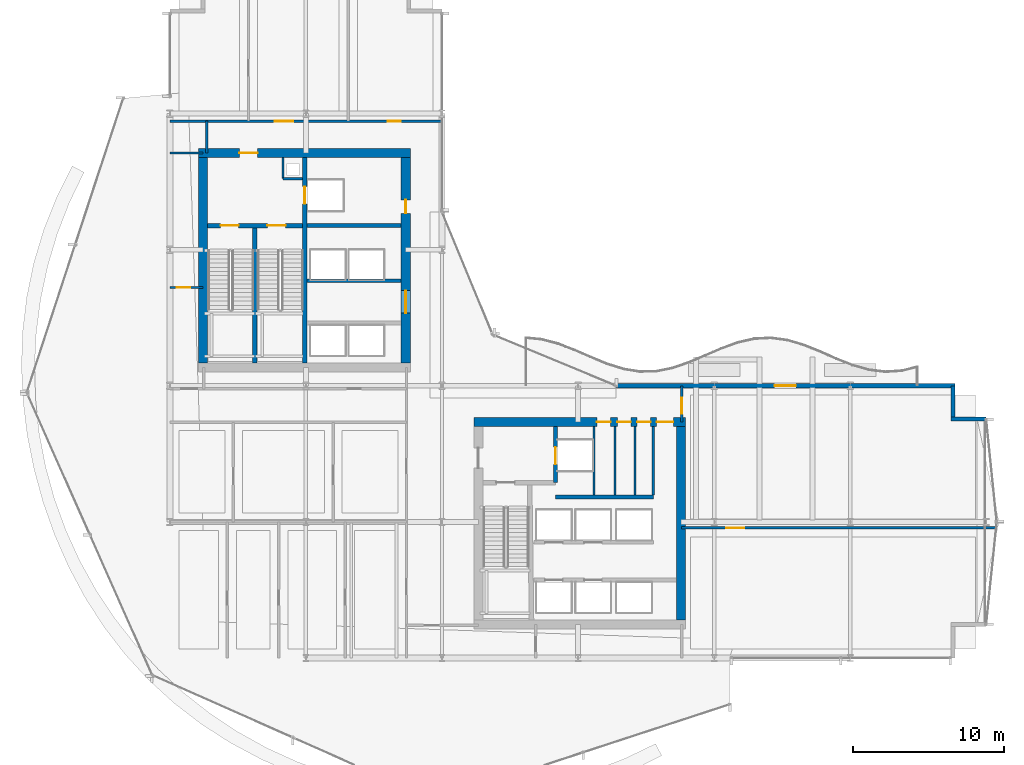
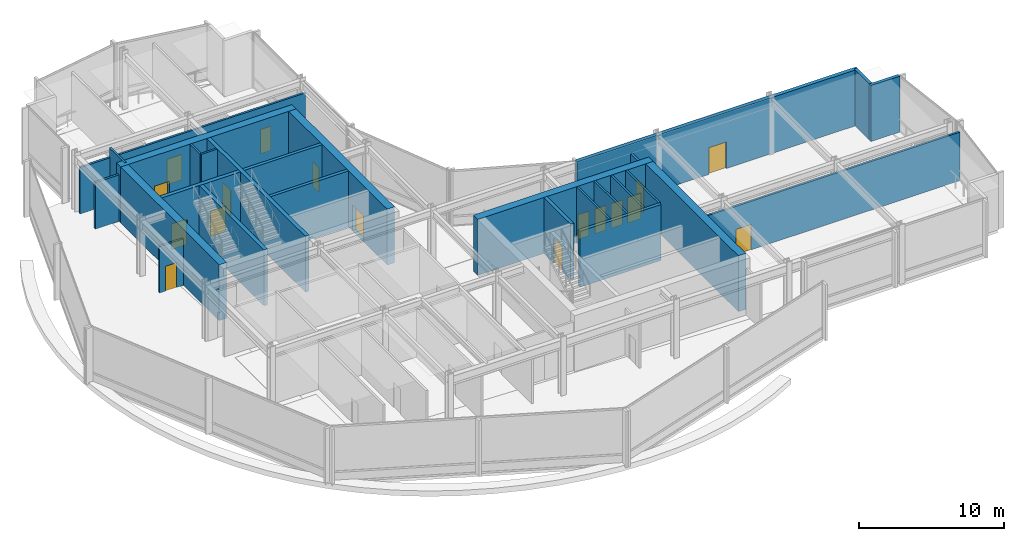
# One storey, part 30 of 39: 27 walls, 17 doors, 17 openings.
"""IFC4 building model written with IfcOpenShell, lengths in metres."""

from ifc_helpers import new_model, si_unit, direction, frame, frame_2d, origin, place, context, subcontext, project, spatial, rectangle, extrude, material, layer, layer_set, type_object, element, fill, save


model = new_model("IFC4")

# Units and contexts
model_context = context("Model", 3, precision=1e-05, world=origin(), true_north=direction((0.0, 1.0)))
body_context = subcontext(model_context, "Body", "Model", "MODEL_VIEW")
ifc_project = project(units=[si_unit("LENGTHUNIT", "METRE"), si_unit("AREAUNIT", "SQUARE_METRE"), si_unit("VOLUMEUNIT", "CUBIC_METRE"), si_unit("PLANEANGLEUNIT", "RADIAN"), si_unit("MASSUNIT", "GRAM", prefix="KILO")], contexts=[model_context])

# Site, building, storey
site_placement = place(None, origin())
site = spatial("IfcSite", under=ifc_project, at=site_placement, CompositionType="ELEMENT")
building_placement = place(site_placement, origin())
building = spatial("IfcBuilding", under=site, at=building_placement, Name="Solvaryn Broadcast Tower", CompositionType="ELEMENT")
storey_placement = place(building_placement, frame((0.0, 0.0, 84.10009765625)))
storey = spatial("IfcBuildingStorey", under=building, at=storey_placement, Name="L20", CompositionType="ELEMENT", Elevation=84.10009765625)

# Wall, opening, door
ifc_material_1 = material(Name="Concrete f'c 70 MPa", Category="concrete")
ifc_layer_1 = layer(ifc_material_1, 0.60009765625)
ifc_layer_set_1 = layer_set([ifc_layer_1], Name="CW-SHEAR-600")
wall_type_1 = type_object("IfcWallType", Name="CW-SHEAR-600", PredefinedType="SHEAR", material=ifc_layer_set_1)
wall_1_placement = place(storey_placement, frame((24.89990234375, 42.39990234375, 0.0), z_axis=(0.0, 0.0, 1.0), x_axis=(-1.0, 0.0, 0.0)))
wall_1 = element("IfcWall", 1, at=wall_1_placement, inside=storey, type_object=wall_type_1, Name="L20 West Core North Shear Wall", PredefinedType="SHEAR", context=body_context, shape_type="SweptSolid", body=[
    extrude(rectangle(XDim=14.0, YDim=0.60009765625, at=frame_2d((7.0, 0.0))), origin(), (0.0, 0.0, 1.0), 4.719970703125),
])
opening_1_placement = place(wall_1_placement, frame((10.10009765625, 0.0, 0.0)))
opening_1 = element("IfcOpeningElement", 2, at=opening_1_placement, cuts=wall_1, Name="Opening FD90A", PredefinedType="OPENING", context=body_context, shape_type="SweptSolid", body=[
    extrude(rectangle(XDim=1.199951171875, YDim=2.14990234375, at=frame_2d((0.60009765625, 1.074951171875))), frame((0.0, 0.31005859375, 0.0), z_axis=(0.0, -1.0, 0.0), x_axis=(1.0, 0.0, 0.0)), (0.0, 0.0, 1.0), 0.6201171875),
])
ifc_material_2 = material(Name="Flush Acoustic Steel and Timber Door Assembly", Category="steel")
door_type_1 = type_object("IfcDoorType", Name="FD90-STAIR-1200X2150", OperationType="NOTDEFINED", PredefinedType="DOOR", material=ifc_material_2)
door_1_placement = place(opening_1_placement, origin())
door_1 = element("IfcDoor", 3, at=door_1_placement, inside=storey, type_object=door_type_1, Name="L20 West FSAE Lobby Corridor Door", OperationType="SINGLE_SWING_LEFT", OverallHeight=2.14990234375, OverallWidth=1.199951171875, PredefinedType="DOOR", context=body_context, shape_type="SweptSolid", body=[
    extrude(rectangle(XDim=1.199951171875, YDim=2.14990234375, at=frame_2d((0.60009765625, 1.074951171875))), frame((0.0, 0.02490234375, 0.0), z_axis=(0.0, -1.0, 0.0), x_axis=(1.0, 0.0, 0.0)), (0.0, 0.0, 1.0), 0.050048828125),
])
fill(opening_1, door_1)

# Wall
wall_2_placement = place(storey_placement, frame((11.199951171875, 42.10009765625, 0.0), z_axis=(0.0, 0.0, 1.0), x_axis=(0.0, -1.0, 0.0)))
element("IfcWall", 4, at=wall_2_placement, inside=storey, type_object=wall_type_1, Name="L20 West Core West Shear Wall", PredefinedType="SHEAR", context=body_context, shape_type="SweptSolid", body=[
    extrude(rectangle(XDim=13.60009765625, YDim=0.60009765625, at=frame_2d((6.800048828125, 0.0))), origin(), (0.0, 0.0, 1.0), 4.719970703125),
])

# Wall, openings, doors
wall_3_placement = place(storey_placement, frame((24.60009765625, 28.5, 0.0), z_axis=(0.0, 0.0, 1.0), x_axis=(0.0, 1.0, 0.0)))
wall_3 = element("IfcWall", 5, at=wall_3_placement, inside=storey, type_object=wall_type_1, Name="L20 West Core East Shear Wall", PredefinedType="SHEAR", context=body_context, shape_type="SweptSolid", body=[
    extrude(rectangle(XDim=13.60009765625, YDim=0.60009765625, at=frame_2d((6.800048828125, 0.0))), origin(), (0.0, 0.0, 1.0), 4.719970703125),
])
opening_2_placement = place(wall_3_placement, frame((3.300048828125, 0.0, 0.0)))
opening_2 = element("IfcOpeningElement", 6, at=opening_2_placement, cuts=wall_3, Name="Opening FD60A", PredefinedType="OPENING", context=body_context, shape_type="SweptSolid", body=[
    extrude(rectangle(XDim=1.5, YDim=2.199951171875, at=frame_2d((0.75, 1.10009765625))), frame((0.0, 0.31005859375, 0.0), z_axis=(0.0, -1.0, 0.0), x_axis=(1.0, 0.0, 0.0)), (0.0, 0.0, 1.0), 0.6201171875),
])
opening_3_placement = place(wall_3_placement, frame((9.89990234375, 0.0, 0.0)))
opening_3 = element("IfcOpeningElement", 7, at=opening_3_placement, cuts=wall_3, Name="Opening FD60C", PredefinedType="OPENING", context=body_context, shape_type="SweptSolid", body=[
    extrude(rectangle(XDim=0.89990234375, YDim=2.10009765625, at=frame_2d((0.449951171875, 1.050048828125))), frame((0.0, 0.31005859375, 0.0), z_axis=(0.0, -1.0, 0.0), x_axis=(1.0, 0.0, 0.0)), (0.0, 0.0, 1.0), 0.6201171875),
])
ifc_material_3 = material(Name="Flush Acoustic Steel and Timber Door Assembly", Category="steel")
door_type_2 = type_object("IfcDoorType", Name="FD60-CORR-1500X2200", OperationType="NOTDEFINED", PredefinedType="DOOR", material=ifc_material_3)
door_2_placement = place(opening_2_placement, origin())
door_2 = element("IfcDoor", 8, at=door_2_placement, inside=storey, type_object=door_type_2, Name="L20 West Elevator Lobby Corridor Door", OperationType="DOUBLE_DOOR_SINGLE_SWING", OverallHeight=2.199951171875, OverallWidth=1.5, PredefinedType="DOOR", context=body_context, shape_type="SweptSolid", body=[
    extrude(rectangle(XDim=1.5, YDim=2.199951171875, at=frame_2d((0.75, 1.10009765625))), frame((0.0, 0.02490234375, 0.0), z_axis=(0.0, -1.0, 0.0), x_axis=(1.0, 0.0, 0.0)), (0.0, 0.0, 1.0), 0.050048828125),
])
fill(opening_2, door_2)
ifc_material_4 = material(Name="Flush Acoustic Steel and Timber Door Assembly", Category="steel")
door_type_3 = type_object("IfcDoorType", Name="FD60-SERV-900X2100", OperationType="NOTDEFINED", PredefinedType="DOOR", material=ifc_material_4)
door_3_placement = place(opening_3_placement, origin())
door_3 = element("IfcDoor", 9, at=door_3_placement, inside=storey, type_object=door_type_3, Name="L20 West Core Service Door 1", OperationType="SINGLE_SWING_LEFT", OverallHeight=2.10009765625, OverallWidth=0.89990234375, PredefinedType="DOOR", context=body_context, shape_type="SweptSolid", body=[
    extrude(rectangle(XDim=0.89990234375, YDim=2.10009765625, at=frame_2d((0.449951171875, 1.050048828125))), frame((0.0, 0.02490234375, 0.0), z_axis=(0.0, -1.0, 0.0), x_axis=(1.0, 0.0, 0.0)), (0.0, 0.0, 1.0), 0.050048828125),
])
fill(opening_3, door_3)

wall_4_placement = place(storey_placement, frame((43.10009765625, 24.60009765625, 0.0), z_axis=(0.0, 0.0, 1.0), x_axis=(-1.0, 0.0, 0.0)))
wall_4 = element("IfcWall", 10, at=wall_4_placement, inside=storey, type_object=wall_type_1, Name="L20 East Core North Shear Wall", PredefinedType="SHEAR", context=body_context, shape_type="SweptSolid", body=[
    extrude(rectangle(XDim=14.0, YDim=0.60009765625, at=frame_2d((7.0, 0.0))), origin(), (0.0, 0.0, 1.0), 4.719970703125),
])
opening_4_placement = place(wall_4_placement, frame((0.800048828125, 0.0, 0.0)))
opening_4 = element("IfcOpeningElement", 11, at=opening_4_placement, cuts=wall_4, Name="Opening FD90C", PredefinedType="OPENING", context=body_context, shape_type="SweptSolid", body=[
    extrude(rectangle(XDim=1.10009765625, YDim=2.14990234375, at=frame_2d((0.550048828125, 1.074951171875))), frame((0.0, 0.31005859375, 0.0), z_axis=(0.0, -1.0, 0.0), x_axis=(1.0, 0.0, 0.0)), (0.0, 0.0, 1.0), 0.6201171875),
])
opening_5_placement = place(wall_4_placement, frame((2.300048828125, 0.0, 0.0)))
opening_5 = element("IfcOpeningElement", 12, at=opening_5_placement, cuts=wall_4, Name="Opening FD60C", PredefinedType="OPENING", context=body_context, shape_type="SweptSolid", body=[
    extrude(rectangle(XDim=0.89990234375, YDim=2.10009765625, at=frame_2d((0.449951171875, 1.050048828125))), frame((0.0, 0.31005859375, 0.0), z_axis=(0.0, -1.0, 0.0), x_axis=(1.0, 0.0, 0.0)), (0.0, 0.0, 1.0), 0.6201171875),
])
opening_6_placement = place(wall_4_placement, frame((3.60009765625, 0.0, 0.0)))
opening_6 = element("IfcOpeningElement", 13, at=opening_6_placement, cuts=wall_4, Name="Opening FD60C", PredefinedType="OPENING", context=body_context, shape_type="SweptSolid", body=[
    extrude(rectangle(XDim=0.89990234375, YDim=2.10009765625, at=frame_2d((0.449951171875, 1.050048828125))), frame((0.0, 0.31005859375, 0.0), z_axis=(0.0, -1.0, 0.0), x_axis=(1.0, 0.0, 0.0)), (0.0, 0.0, 1.0), 0.6201171875),
])
opening_7_placement = place(wall_4_placement, frame((4.949951171875, 0.0, 0.0)))
opening_7 = element("IfcOpeningElement", 14, at=opening_7_placement, cuts=wall_4, Name="Opening FD60C", PredefinedType="OPENING", context=body_context, shape_type="SweptSolid", body=[
    extrude(rectangle(XDim=0.89990234375, YDim=2.10009765625, at=frame_2d((0.449951171875, 1.050048828125))), frame((0.0, 0.31005859375, 0.0), z_axis=(0.0, -1.0, 0.0), x_axis=(1.0, 0.0, 0.0)), (0.0, 0.0, 1.0), 0.6201171875),
])
door_4_placement = place(opening_5_placement, origin())
door_4 = element("IfcDoor", 15, at=door_4_placement, inside=storey, type_object=door_type_3, Name="L20 Core Wellness Room Door", OperationType="SINGLE_SWING_RIGHT", OverallHeight=2.10009765625, OverallWidth=0.89990234375, PredefinedType="DOOR", context=body_context, shape_type="SweptSolid", body=[
    extrude(rectangle(XDim=0.89990234375, YDim=2.10009765625, at=frame_2d((0.449951171875, 1.050048828125))), frame((0.0, 0.02490234375, 0.0), z_axis=(0.0, -1.0, 0.0), x_axis=(1.0, 0.0, 0.0)), (0.0, 0.0, 1.0), 0.050048828125),
])
fill(opening_5, door_4)
door_5_placement = place(opening_6_placement, origin())
door_5 = element("IfcDoor", 16, at=door_5_placement, inside=storey, type_object=door_type_3, Name="L20 Staff Restroom Door", OperationType="SINGLE_SWING_LEFT", OverallHeight=2.10009765625, OverallWidth=0.89990234375, PredefinedType="DOOR", context=body_context, shape_type="SweptSolid", body=[
    extrude(rectangle(XDim=0.89990234375, YDim=2.10009765625, at=frame_2d((0.449951171875, 1.050048828125))), frame((0.0, 0.02490234375, 0.0), z_axis=(0.0, -1.0, 0.0), x_axis=(1.0, 0.0, 0.0)), (0.0, 0.0, 1.0), 0.050048828125),
])
fill(opening_6, door_5)
door_6_placement = place(opening_7_placement, origin())
door_6 = element("IfcDoor", 17, at=door_6_placement, inside=storey, type_object=door_type_3, Name="L20 Accessible WC Door", OperationType="SINGLE_SWING_RIGHT", OverallHeight=2.10009765625, OverallWidth=0.89990234375, PredefinedType="DOOR", context=body_context, shape_type="SweptSolid", body=[
    extrude(rectangle(XDim=0.89990234375, YDim=2.10009765625, at=frame_2d((0.449951171875, 1.050048828125))), frame((0.0, 0.02490234375, 0.0), z_axis=(0.0, -1.0, 0.0), x_axis=(1.0, 0.0, 0.0)), (0.0, 0.0, 1.0), 0.050048828125),
])
fill(opening_7, door_6)
ifc_material_5 = material(Name="Flush Acoustic Steel and Timber Door Assembly", Category="steel")
door_type_4 = type_object("IfcDoorType", Name="FD90-PLANT-1100X2150", OperationType="NOTDEFINED", PredefinedType="DOOR", material=ifc_material_5)
door_7_placement = place(opening_4_placement, origin())
door_7 = element("IfcDoor", 18, at=door_7_placement, inside=storey, type_object=door_type_4, Name="L20 East Core Lobby Corridor Door", OperationType="SINGLE_SWING_LEFT", OverallHeight=2.14990234375, OverallWidth=1.10009765625, PredefinedType="DOOR", context=body_context, shape_type="SweptSolid", body=[
    extrude(rectangle(XDim=1.10009765625, YDim=2.14990234375, at=frame_2d((0.550048828125, 1.074951171875))), frame((0.0, 0.02490234375, 0.0), z_axis=(0.0, -1.0, 0.0), x_axis=(1.0, 0.0, 0.0)), (0.0, 0.0, 1.0), 0.050048828125),
])
fill(opening_4, door_7)

# Walls
wall_5_placement = place(storey_placement, frame((42.800048828125, 11.5, 0.0), z_axis=(0.0, 0.0, 1.0), x_axis=(0.0, 1.0, 0.0)))
element("IfcWall", 19, at=wall_5_placement, inside=storey, type_object=wall_type_1, Name="L20 East Core East Shear Wall", PredefinedType="SHEAR", context=body_context, shape_type="SweptSolid", body=[
    extrude(rectangle(XDim=12.800048828125, YDim=0.60009765625, at=frame_2d((6.39990234375, 0.0))), origin(), (0.0, 0.0, 1.0), 4.719970703125),
])
ifc_material_6 = material(Name="Concrete f'c 50 MPa", Category="concrete")
ifc_layer_2 = layer(ifc_material_6, 0.260009765625)
ifc_layer_set_2 = layer_set([ifc_layer_2], Name="EW-PIER-260")
wall_type_2 = type_object("IfcWallType", Name="EW-PIER-260", PredefinedType="SOLIDWALL", material=ifc_layer_set_2)
wall_6_placement = place(storey_placement, frame((63.0, 24.800048828125, 0.0), z_axis=(0.0, 0.0, 1.0), x_axis=(-1.0, 0.0, 0.0)))
element("IfcWall", 20, at=wall_6_placement, inside=storey, type_object=wall_type_2, Name="L20 Notched Corner Pier Wall NEE1", PredefinedType="SOLIDWALL", context=body_context, shape_type="SweptSolid", body=[
    extrude(rectangle(XDim=2.320068359375, YDim=0.260009765625, at=frame_2d((1.16015625, 0.0))), origin(), (0.0, 0.0, 1.0), 4.719970703125),
])
wall_7_placement = place(storey_placement, frame((60.800048828125, 24.919921875, 0.0), z_axis=(0.0, 0.0, 1.0), x_axis=(0.0, 1.0, 0.0)))
element("IfcWall", 21, at=wall_7_placement, inside=storey, type_object=wall_type_2, Name="L20 Notched Corner Pier Wall NEE2", PredefinedType="SOLIDWALL", context=body_context, shape_type="SweptSolid", body=[
    extrude(rectangle(XDim=2.080078125, YDim=0.260009765625, at=frame_2d((1.0400390625, 0.0))), origin(), (0.0, 0.0, 1.0), 4.719970703125),
])

# Wall, opening, door
ifc_material_7 = material(Name="Concrete f'c 50 MPa", Category="concrete")
ifc_layer_3 = layer(ifc_material_7, 0.300048828125)
ifc_layer_set_3 = layer_set([ifc_layer_3], Name="EW-TER-300")
wall_type_3 = type_object("IfcWallType", Name="EW-TER-300", PredefinedType="SOLIDWALL", material=ifc_layer_set_3)
wall_8_placement = place(storey_placement, frame((38.5, 27.0, 0.0), z_axis=(0.0, 0.0, 1.0), x_axis=(1.0, 0.0, 0.0)))
wall_8 = element("IfcWall", 22, at=wall_8_placement, inside=storey, type_object=wall_type_3, Name="L20 Courtyard Sky-Garden Wall", PredefinedType="SOLIDWALL", context=body_context, shape_type="SweptSolid", body=[
    extrude(rectangle(XDim=22.429931640625, YDim=0.300048828125, at=frame_2d((11.21484375, 0.0))), origin(), (0.0, 0.0, 1.0), 4.719970703125),
])
opening_8_placement = place(wall_8_placement, frame((10.5, 0.0, 0.0)))
opening_8 = element("IfcOpeningElement", 23, at=opening_8_placement, cuts=wall_8, Name="Opening EDS20", PredefinedType="OPENING", context=body_context, shape_type="SweptSolid", body=[
    extrude(rectangle(XDim=1.39990234375, YDim=2.25, at=frame_2d((0.699951171875, 1.125))), frame((0.0, 0.159912109375, 0.0), z_axis=(0.0, -1.0, 0.0), x_axis=(1.0, 0.0, 0.0)), (0.0, 0.0, 1.0), 0.320068359375),
])
ifc_material_8 = material(Name="Insulated Architectural Aluminium and Glazing", Category="aluminium")
door_type_5 = type_object("IfcDoorType", Name="ED-SKYG-1400X2250", OperationType="NOTDEFINED", PredefinedType="DOOR", material=ifc_material_8)
door_8_placement = place(opening_8_placement, origin())
door_8 = element("IfcDoor", 24, at=door_8_placement, inside=storey, type_object=door_type_5, Name="L20 Courtyard Sky-Garden Terrace Door", OperationType="SINGLE_SWING_LEFT", OverallHeight=2.25, OverallWidth=1.39990234375, PredefinedType="DOOR", context=body_context, shape_type="SweptSolid", body=[
    extrude(rectangle(XDim=1.39990234375, YDim=2.25, at=frame_2d((0.699951171875, 1.125))), frame((0.0, 0.02490234375, 0.0), z_axis=(0.0, -1.0, 0.0), x_axis=(1.0, 0.0, 0.0)), (0.0, 0.0, 1.0), 0.050048828125),
])
fill(opening_8, door_8)

# Walls
ifc_material_9 = material(Name="Metal-Stud Service Core Partition")
ifc_layer_4 = layer(ifc_material_9, 0.14990234375)
ifc_layer_set_4 = layer_set([ifc_layer_4], Name="IW-PART-150")
wall_type_4 = type_object("IfcWallType", Name="IW-PART-150", PredefinedType="PARTITIONING", material=ifc_layer_set_4)
wall_9_placement = place(storey_placement, frame((16.47998046875, 40.699951171875, 0.0), z_axis=(0.0, 0.0, 1.0), x_axis=(1.0, 0.0, 0.0)))
element("IfcWall", 25, at=wall_9_placement, inside=storey, type_object=wall_type_4, Name="L20 West Core Riser Shaft South Wall", PredefinedType="PARTITIONING", context=body_context, shape_type="SweptSolid", body=[
    extrude(rectangle(XDim=1.2900390625, YDim=0.14990234375, at=frame_2d((0.64501953125, 0.0))), origin(), (0.0, 0.0, 1.0), 4.719970703125),
])
wall_10_placement = place(storey_placement, frame((16.47998046875, 40.699951171875, 0.0), z_axis=(0.0, 0.0, 1.0), x_axis=(0.0, 1.0, 0.0)))
element("IfcWall", 26, at=wall_10_placement, inside=storey, type_object=wall_type_4, Name="L20 West Core Riser Shaft West Wall", PredefinedType="PARTITIONING", context=body_context, shape_type="SweptSolid", body=[
    extrude(rectangle(XDim=1.400146484375, YDim=0.14990234375, at=frame_2d((0.7001953125, 0.0))), origin(), (0.0, 0.0, 1.0), 4.719970703125),
])
for number, where, z_axis, x_axis, name in (
    (27, (37.050048828125, 19.780029296875, 0.0), (0.0, 0.0, 1.0), (0.0, 1.0, 0.0), "L20 Interior Partition IW-L20-CE-FL2E"),
    (28, (38.43994140625, 19.780029296875, 0.0), (0.0, 0.0, 1.0), (0.0, 1.0, 0.0), "L20 Interior Partition IW-L20-CE-V1"),
    (29, (39.77001953125, 19.780029296875, 0.0), (0.0, 0.0, 1.0), (0.0, 1.0, 0.0), "L20 Interior Partition IW-L20-CE-V2"),
    (30, (40.97998046875, 19.780029296875, 0.0), (0.0, 0.0, 1.0), (0.0, 1.0, 0.0), "L20 Interior Partition IW-L20-CE-V3"),
):
    element("IfcWall", number, at=place(storey_placement, frame(where, z_axis=z_axis, x_axis=x_axis)), inside=storey, type_object=wall_type_4, Name=name, PredefinedType="PARTITIONING", context=body_context, shape_type="SweptSolid", body=[
        extrude(rectangle(XDim=4.52001953125, YDim=0.14990234375, at=frame_2d((2.260009765625, 0.0))), origin(), (0.0, 0.0, 1.0), 4.719970703125),
    ])

# Wall, opening, door
wall_11_placement = place(storey_placement, frame((9.0, 33.5, 0.0), z_axis=(0.0, 0.0, 1.0), x_axis=(1.0, 0.0, 0.0)))
wall_11 = element("IfcWall", 31, at=wall_11_placement, inside=storey, type_object=wall_type_4, Name="L20 Interior Partition IW-L20-WM-M", PredefinedType="PARTITIONING", context=body_context, shape_type="SweptSolid", body=[
    extrude(rectangle(XDim=2.199951171875, YDim=0.14990234375, at=frame_2d((1.10009765625, 0.0))), origin(), (0.0, 0.0, 1.0), 3.927001953125),
])
opening_9_placement = place(wall_11_placement, frame((0.449951171875, 0.0, 0.0)))
opening_9 = element("IfcOpeningElement", 32, at=opening_9_placement, cuts=wall_11, Name="Opening FD60C", PredefinedType="OPENING", context=body_context, shape_type="SweptSolid", body=[
    extrude(rectangle(XDim=0.89990234375, YDim=2.10009765625, at=frame_2d((0.449951171875, 1.050048828125))), frame((0.0, 0.0849609375, 0.0), z_axis=(0.0, -1.0, 0.0), x_axis=(1.0, 0.0, 0.0)), (0.0, 0.0, 1.0), 0.169921875),
])
door_9_placement = place(opening_9_placement, origin())
door_9 = element("IfcDoor", 33, at=door_9_placement, inside=storey, type_object=door_type_3, Name="L20 Door DR-L20-WM1", OperationType="SINGLE_SWING_RIGHT", OverallHeight=2.10009765625, OverallWidth=0.89990234375, PredefinedType="DOOR", context=body_context, shape_type="SweptSolid", body=[
    extrude(rectangle(XDim=0.89990234375, YDim=2.10009765625, at=frame_2d((0.449951171875, 1.050048828125))), frame((0.0, 0.02490234375, 0.0), z_axis=(0.0, -1.0, 0.0), x_axis=(1.0, 0.0, 0.0)), (0.0, 0.0, 1.0), 0.050048828125),
])
fill(opening_9, door_9)

# Walls
ifc_material_10 = material(Name="Metal-Stud Gypsum Office Partition")
ifc_layer_5 = layer(ifc_material_10, 0.159912109375)
ifc_layer_set_5 = layer_set([ifc_layer_5], Name="IW-PART-160")
wall_type_5 = type_object("IfcWallType", Name="IW-PART-160", PredefinedType="PARTITIONING", material=ifc_layer_set_5)
wall_12_placement = place(storey_placement, frame((9.0, 42.39990234375, 0.0), z_axis=(0.0, 0.0, 1.0), x_axis=(1.0, 0.0, 0.0)))
element("IfcWall", 34, at=wall_12_placement, inside=storey, type_object=wall_type_5, Name="L20 Interior Partition IW-L20-WM-N", PredefinedType="PARTITIONING", context=body_context, shape_type="SweptSolid", body=[
    extrude(rectangle(XDim=2.199951171875, YDim=0.159912109375, at=frame_2d((1.10009765625, 0.0))), origin(), (0.0, 0.0, 1.0), 3.927001953125),
])
wall_13_placement = place(storey_placement, frame((11.449951171875, 42.39990234375, 0.0), z_axis=(0.0, 0.0, 1.0), x_axis=(0.0, 1.0, 0.0)))
element("IfcWall", 35, at=wall_13_placement, inside=storey, type_object=wall_type_5, Name="L20 Interior Partition IW-L20-WM-E", PredefinedType="PARTITIONING", context=body_context, shape_type="SweptSolid", body=[
    extrude(rectangle(XDim=2.10009765625, YDim=0.159912109375, at=frame_2d((1.050048828125, 0.0))), origin(), (0.0, 0.0, 1.0), 4.719970703125),
])

# Wall, openings, doors
wall_14_placement = place(storey_placement, frame((9.0, 44.5, 0.0), z_axis=(0.0, 0.0, 1.0), x_axis=(1.0, 0.0, 0.0)))
wall_14 = element("IfcWall", 36, at=wall_14_placement, inside=storey, type_object=wall_type_5, Name="L20 Interior Partition IW-L20-NW-SB", PredefinedType="PARTITIONING", context=body_context, shape_type="SweptSolid", body=[
    extrude(rectangle(XDim=18.0, YDim=0.159912109375, at=frame_2d((9.0, 0.0))), origin(), (0.0, 0.0, 1.0), 3.927001953125),
])
opening_10_placement = place(wall_14_placement, frame((6.949951171875, 0.0, 0.0)))
opening_10 = element("IfcOpeningElement", 37, at=opening_10_placement, cuts=wall_14, Name="Opening ID04", PredefinedType="OPENING", context=body_context, shape_type="SweptSolid", body=[
    extrude(rectangle(XDim=1.199951171875, YDim=2.14990234375, at=frame_2d((0.60009765625, 1.074951171875))), frame((0.0, 0.090087890625, 0.0), z_axis=(0.0, -1.0, 0.0), x_axis=(1.0, 0.0, 0.0)), (0.0, 0.0, 1.0), 0.179931640625),
])
opening_11_placement = place(wall_14_placement, frame((14.39990234375, 0.0, 0.0)))
opening_11 = element("IfcOpeningElement", 38, at=opening_11_placement, cuts=wall_14, Name="Opening ID07", PredefinedType="OPENING", context=body_context, shape_type="SweptSolid", body=[
    extrude(rectangle(XDim=0.860107421875, YDim=2.050048828125, at=frame_2d((0.43017578125, 1.02490234375))), frame((0.0, 0.090087890625, 0.0), z_axis=(0.0, -1.0, 0.0), x_axis=(1.0, 0.0, 0.0)), (0.0, 0.0, 1.0), 0.179931640625),
])
ifc_material_11 = material(Name="Flush Acoustic Steel and Timber Door Assembly", Category="steel")
door_type_6 = type_object("IfcDoorType", Name="ID-04-1200X2150", OperationType="NOTDEFINED", PredefinedType="DOOR", material=ifc_material_11)
door_10_placement = place(opening_10_placement, origin())
door_10 = element("IfcDoor", 39, at=door_10_placement, inside=storey, type_object=door_type_6, Name="L20 Door DR-L20-NW-2", OperationType="SINGLE_SWING_RIGHT", OverallHeight=2.14990234375, OverallWidth=1.199951171875, PredefinedType="DOOR", context=body_context, shape_type="SweptSolid", body=[
    extrude(rectangle(XDim=1.199951171875, YDim=2.14990234375, at=frame_2d((0.60009765625, 1.074951171875))), frame((0.0, 0.02490234375, 0.0), z_axis=(0.0, -1.0, 0.0), x_axis=(1.0, 0.0, 0.0)), (0.0, 0.0, 1.0), 0.050048828125),
])
fill(opening_10, door_10)
ifc_material_12 = material(Name="Flush Acoustic Steel and Timber Door Assembly", Category="steel")
door_type_7 = type_object("IfcDoorType", Name="ID-07-860X2050", OperationType="NOTDEFINED", PredefinedType="DOOR", material=ifc_material_12)
door_11_placement = place(opening_11_placement, origin())
door_11 = element("IfcDoor", 40, at=door_11_placement, inside=storey, type_object=door_type_7, Name="L20 Door DR-L20-NW-3", OperationType="SINGLE_SWING_LEFT", OverallHeight=2.050048828125, OverallWidth=0.860107421875, PredefinedType="DOOR", context=body_context, shape_type="SweptSolid", body=[
    extrude(rectangle(XDim=0.860107421875, YDim=2.050048828125, at=frame_2d((0.43017578125, 1.02490234375))), frame((0.0, 0.02490234375, 0.0), z_axis=(0.0, -1.0, 0.0), x_axis=(1.0, 0.0, 0.0)), (0.0, 0.0, 1.0), 0.050048828125),
])
fill(opening_11, door_11)

# Wall, opening, door
wall_15_placement = place(storey_placement, frame((42.85009765625, 24.60009765625, 0.0), z_axis=(0.0, 0.0, 1.0), x_axis=(0.0, 1.0, 0.0)))
wall_15 = element("IfcWall", 41, at=wall_15_placement, inside=storey, type_object=wall_type_5, Name="L20 Interior Partition IW-L20-EW-BN", PredefinedType="PARTITIONING", context=body_context, shape_type="SweptSolid", body=[
    extrude(rectangle(XDim=2.39990234375, YDim=0.159912109375, at=frame_2d((1.199951171875, 0.0))), origin(), (0.0, 0.0, 1.0), 3.927001953125),
])
opening_12_placement = place(wall_15_placement, frame((0.550048828125, 0.0, 0.0)))
opening_12 = element("IfcOpeningElement", 42, at=opening_12_placement, cuts=wall_15, Name="Opening ID03", PredefinedType="OPENING", context=body_context, shape_type="SweptSolid", body=[
    extrude(rectangle(XDim=1.050048828125, YDim=2.14990234375, at=frame_2d((0.52490234375, 1.074951171875))), frame((0.0, 0.090087890625, 0.0), z_axis=(0.0, -1.0, 0.0), x_axis=(1.0, 0.0, 0.0)), (0.0, 0.0, 1.0), 0.179931640625),
])
ifc_material_13 = material(Name="Flush Acoustic Steel and Timber Door Assembly", Category="steel")
door_type_8 = type_object("IfcDoorType", Name="ID-03-1050X2150", OperationType="NOTDEFINED", PredefinedType="DOOR", material=ifc_material_13)
door_12_placement = place(opening_12_placement, origin())
door_12 = element("IfcDoor", 43, at=door_12_placement, inside=storey, type_object=door_type_8, Name="L20 Door DR-L20-EW0", OperationType="SINGLE_SWING_RIGHT", OverallHeight=2.14990234375, OverallWidth=1.050048828125, PredefinedType="DOOR", context=body_context, shape_type="SweptSolid", body=[
    extrude(rectangle(XDim=1.050048828125, YDim=2.14990234375, at=frame_2d((0.52490234375, 1.074951171875))), frame((0.0, 0.02490234375, 0.0), z_axis=(0.0, -1.0, 0.0), x_axis=(1.0, 0.0, 0.0)), (0.0, 0.0, 1.0), 0.050048828125),
])
fill(opening_12, door_12)

wall_16_placement = place(storey_placement, frame((42.85009765625, 17.60009765625, 0.0), z_axis=(0.0, 0.0, 1.0), x_axis=(1.0, 0.0, 0.0)))
wall_16 = element("IfcWall", 44, at=wall_16_placement, inside=storey, type_object=wall_type_5, Name="L20 Interior Partition IW-L20-EW-H1", PredefinedType="PARTITIONING", context=body_context, shape_type="SweptSolid", body=[
    extrude(rectangle(XDim=20.808837890625, YDim=0.159912109375, at=frame_2d((10.404296875, 0.0))), origin(), (0.0, 0.0, 1.0), 4.091796875),
])
opening_13_placement = place(wall_16_placement, frame((2.949951171875, 0.0, 0.0)))
opening_13 = element("IfcOpeningElement", 45, at=opening_13_placement, cuts=wall_16, Name="Opening ID04", PredefinedType="OPENING", context=body_context, shape_type="SweptSolid", body=[
    extrude(rectangle(XDim=1.199951171875, YDim=2.14990234375, at=frame_2d((0.60009765625, 1.074951171875))), frame((0.0, 0.090087890625, 0.0), z_axis=(0.0, -1.0, 0.0), x_axis=(1.0, 0.0, 0.0)), (0.0, 0.0, 1.0), 0.179931640625),
])
door_13_placement = place(opening_13_placement, origin())
door_13 = element("IfcDoor", 46, at=door_13_placement, inside=storey, type_object=door_type_6, Name="L20 Door DR-L20-EW-1", OperationType="SINGLE_SWING_LEFT", OverallHeight=2.14990234375, OverallWidth=1.199951171875, PredefinedType="DOOR", context=body_context, shape_type="SweptSolid", body=[
    extrude(rectangle(XDim=1.199951171875, YDim=2.14990234375, at=frame_2d((0.60009765625, 1.074951171875))), frame((0.0, 0.02490234375, 0.0), z_axis=(0.0, -1.0, 0.0), x_axis=(1.0, 0.0, 0.0)), (0.0, 0.0, 1.0), 0.050048828125),
])
fill(opening_13, door_13)

# Walls
ifc_material_14 = material(Name="Concrete f'c 60 MPa", Category="concrete")
ifc_layer_6 = layer(ifc_material_14, 0.25)
ifc_layer_set_6 = layer_set([ifc_layer_6], Name="SW-SHAFT-250")
wall_type_6 = type_object("IfcWallType", Name="SW-SHAFT-250", PredefinedType="PARTITIONING", material=ifc_layer_set_6)
for number, where, z_axis, x_axis, name in (
    (47, (18.070068359375, 37.60009765625, 0.0), (0.0, 0.0, 1.0), (1.0, 0.0, 0.0), "L20 West Core FSAE Hoistway Front Wall"),
    (48, (24.300048828125, 33.949951171875, 0.0), (0.0, 0.0, 1.0), (-1.0, 0.0, 0.0), "L20 High-Rise Lift Bank North Wall"),
):
    element("IfcWall", number, at=place(storey_placement, frame(where, z_axis=z_axis, x_axis=x_axis)), inside=storey, type_object=wall_type_6, Name=name, PredefinedType="PARTITIONING", context=body_context, shape_type="SweptSolid", body=[
        extrude(rectangle(XDim=6.22998046875, YDim=0.25, at=frame_2d((3.114990234375, 0.0))), origin(), (0.0, 0.0, 1.0), 4.719970703125),
    ])

# Wall, opening, door
wall_17_placement = place(storey_placement, frame((34.5, 20.60009765625, 0.0), z_axis=(0.0, 0.0, 1.0), x_axis=(0.0, 1.0, 0.0)))
wall_17 = element("IfcWall", 49, at=wall_17_placement, inside=storey, type_object=wall_type_6, Name="L20 East FSAE Lobby East Wall", PredefinedType="PARTITIONING", context=body_context, shape_type="SweptSolid", body=[
    extrude(rectangle(XDim=3.699951171875, YDim=0.25, at=frame_2d((1.85009765625, 0.0))), origin(), (0.0, 0.0, 1.0), 4.719970703125),
])
opening_14_placement = place(wall_17_placement, frame((1.199951171875, 0.0, 0.0)))
opening_14 = element("IfcOpeningElement", 50, at=opening_14_placement, cuts=wall_17, Name="Opening LD01", PredefinedType="OPENING", context=body_context, shape_type="SweptSolid", body=[
    extrude(rectangle(XDim=1.14990234375, YDim=2.14990234375, at=frame_2d((0.574951171875, 1.074951171875))), frame((0.0, 0.135009765625, 0.0), z_axis=(0.0, -1.0, 0.0), x_axis=(1.0, 0.0, 0.0)), (0.0, 0.0, 1.0), 0.27001953125),
])
ifc_material_15 = material(Name="Flush Acoustic Steel and Timber Door Assembly", Category="steel")
door_type_9 = type_object("IfcDoorType", Name="LD-LIFT-1150X2150", OperationType="NOTDEFINED", PredefinedType="DOOR", material=ifc_material_15)
door_14_placement = place(opening_14_placement, origin())
door_14 = element("IfcDoor", 51, at=door_14_placement, inside=storey, type_object=door_type_9, Name="L20 FL2 Lift Landing Door", OperationType="DOUBLE_DOOR_SLIDING", OverallHeight=2.14990234375, OverallWidth=1.14990234375, PredefinedType="DOOR", context=body_context, shape_type="SweptSolid", body=[
    extrude(rectangle(XDim=1.14990234375, YDim=2.14990234375, at=frame_2d((0.574951171875, 1.074951171875))), frame((0.0, 0.02490234375, 0.0), z_axis=(0.0, -1.0, 0.0), x_axis=(1.0, 0.0, 0.0)), (0.0, 0.0, 1.0), 0.050048828125),
])
fill(opening_14, door_14)

# Walls
wall_18_placement = place(storey_placement, frame((34.5, 19.64990234375, 0.0), z_axis=(0.0, 0.0, 1.0), x_axis=(1.0, 0.0, 0.0)))
element("IfcWall", 52, at=wall_18_placement, inside=storey, type_object=wall_type_6, Name="L20 East Core Restroom South Wall", PredefinedType="PARTITIONING", context=body_context, shape_type="SweptSolid", body=[
    extrude(rectangle(XDim=6.47998046875, YDim=0.25, at=frame_2d((3.239990234375, 0.0))), origin(), (0.0, 0.0, 1.0), 4.719970703125),
])
ifc_material_16 = material(Name="Concrete f'c 70 MPa", Category="concrete")
ifc_layer_7 = layer(ifc_material_16, 0.300048828125)
ifc_layer_set_7 = layer_set([ifc_layer_7], Name="SW-SHAFT-300")
wall_type_7 = type_object("IfcWallType", Name="SW-SHAFT-300", PredefinedType="SHEAR", material=ifc_layer_set_7)
wall_19_placement = place(storey_placement, frame((14.6201171875, 28.5, 0.0), z_axis=(0.0, 0.0, 1.0), x_axis=(0.0, 1.0, 0.0)))
element("IfcWall", 53, at=wall_19_placement, inside=storey, type_object=wall_type_7, Name="L20 Stair 1-2 Dividing Wall", PredefinedType="SHEAR", context=body_context, shape_type="SweptSolid", body=[
    extrude(rectangle(XDim=8.949951171875, YDim=0.300048828125, at=frame_2d((4.47509765625, 0.0))), origin(), (0.0, 0.0, 1.0), 4.719970703125),
])

# Wall, opening, door
wall_20_placement = place(storey_placement, frame((17.919921875, 42.10009765625, 0.0), z_axis=(0.0, 0.0, 1.0), x_axis=(0.0, -1.0, 0.0)))
wall_20 = element("IfcWall", 54, at=wall_20_placement, inside=storey, type_object=wall_type_7, Name="L20 West Core Stair-Lobby Shear Wall", PredefinedType="SHEAR", context=body_context, shape_type="SweptSolid", body=[
    extrude(rectangle(XDim=13.60009765625, YDim=0.300048828125, at=frame_2d((6.800048828125, 0.0))), origin(), (0.0, 0.0, 1.0), 4.719970703125),
])
opening_15_placement = place(wall_20_placement, frame((1.925048828125, 0.0, 0.0)))
opening_15 = element("IfcOpeningElement", 55, at=opening_15_placement, cuts=wall_20, Name="Opening LD01", PredefinedType="OPENING", context=body_context, shape_type="SweptSolid", body=[
    extrude(rectangle(XDim=1.14990234375, YDim=2.14990234375, at=frame_2d((0.574951171875, 1.074951171875))), frame((0.0, 0.159912109375, 0.0), z_axis=(0.0, -1.0, 0.0), x_axis=(1.0, 0.0, 0.0)), (0.0, 0.0, 1.0), 0.320068359375),
])
door_15_placement = place(opening_15_placement, origin())
door_15 = element("IfcDoor", 56, at=door_15_placement, inside=storey, type_object=door_type_9, Name="L20 FL1 Lift Landing Door", OperationType="DOUBLE_DOOR_SLIDING", OverallHeight=2.14990234375, OverallWidth=1.14990234375, PredefinedType="DOOR", context=body_context, shape_type="SweptSolid", body=[
    extrude(rectangle(XDim=1.14990234375, YDim=2.14990234375, at=frame_2d((0.574951171875, 1.074951171875))), frame((0.0, 0.02490234375, 0.0), z_axis=(0.0, -1.0, 0.0), x_axis=(1.0, 0.0, 0.0)), (0.0, 0.0, 1.0), 0.050048828125),
])
fill(opening_15, door_15)

# Wall, openings, doors
wall_21_placement = place(storey_placement, frame((17.77001953125, 37.60009765625, 0.0), z_axis=(0.0, 0.0, 1.0), x_axis=(-1.0, 0.0, 0.0)))
wall_21 = element("IfcWall", 57, at=wall_21_placement, inside=storey, type_object=wall_type_7, Name="L20 West Core FSAE Lobby South Wall", PredefinedType="SHEAR", context=body_context, shape_type="SweptSolid", body=[
    extrude(rectangle(XDim=6.27001953125, YDim=0.300048828125, at=frame_2d((3.135009765625, 0.0))), origin(), (0.0, 0.0, 1.0), 4.719970703125),
])
opening_16_placement = place(wall_21_placement, frame((4.219970703125, 0.0, 0.0)))
opening_16 = element("IfcOpeningElement", 58, at=opening_16_placement, cuts=wall_21, Name="Opening FD90A", PredefinedType="OPENING", context=body_context, shape_type="SweptSolid", body=[
    extrude(rectangle(XDim=1.199951171875, YDim=2.14990234375, at=frame_2d((0.60009765625, 1.074951171875))), frame((0.0, 0.159912109375, 0.0), z_axis=(0.0, -1.0, 0.0), x_axis=(1.0, 0.0, 0.0)), (0.0, 0.0, 1.0), 0.320068359375),
])
opening_17_placement = place(wall_21_placement, frame((1.1201171875, 0.0, 0.0)))
opening_17 = element("IfcOpeningElement", 59, at=opening_17_placement, cuts=wall_21, Name="Opening FD90A", PredefinedType="OPENING", context=body_context, shape_type="SweptSolid", body=[
    extrude(rectangle(XDim=1.199951171875, YDim=2.14990234375, at=frame_2d((0.60009765625, 1.074951171875))), frame((0.0, 0.159912109375, 0.0), z_axis=(0.0, -1.0, 0.0), x_axis=(1.0, 0.0, 0.0)), (0.0, 0.0, 1.0), 0.320068359375),
])
door_16_placement = place(opening_16_placement, origin())
door_16 = element("IfcDoor", 60, at=door_16_placement, inside=storey, type_object=door_type_1, Name="L20 Stair 1 Fire Door", OperationType="SINGLE_SWING_LEFT", OverallHeight=2.14990234375, OverallWidth=1.199951171875, PredefinedType="DOOR", context=body_context, shape_type="SweptSolid", body=[
    extrude(rectangle(XDim=1.199951171875, YDim=2.14990234375, at=frame_2d((0.60009765625, 1.074951171875))), frame((0.0, 0.02490234375, 0.0), z_axis=(0.0, -1.0, 0.0), x_axis=(1.0, 0.0, 0.0)), (0.0, 0.0, 1.0), 0.050048828125),
])
fill(opening_16, door_16)
door_17_placement = place(opening_17_placement, origin())
door_17 = element("IfcDoor", 61, at=door_17_placement, inside=storey, type_object=door_type_1, Name="L20 Stair 2 Fire Door", OperationType="SINGLE_SWING_RIGHT", OverallHeight=2.14990234375, OverallWidth=1.199951171875, PredefinedType="DOOR", context=body_context, shape_type="SweptSolid", body=[
    extrude(rectangle(XDim=1.199951171875, YDim=2.14990234375, at=frame_2d((0.60009765625, 1.074951171875))), frame((0.0, 0.02490234375, 0.0), z_axis=(0.0, -1.0, 0.0), x_axis=(1.0, 0.0, 0.0)), (0.0, 0.0, 1.0), 0.050048828125),
])
fill(opening_17, door_17)

save(model, "model.ifc")
